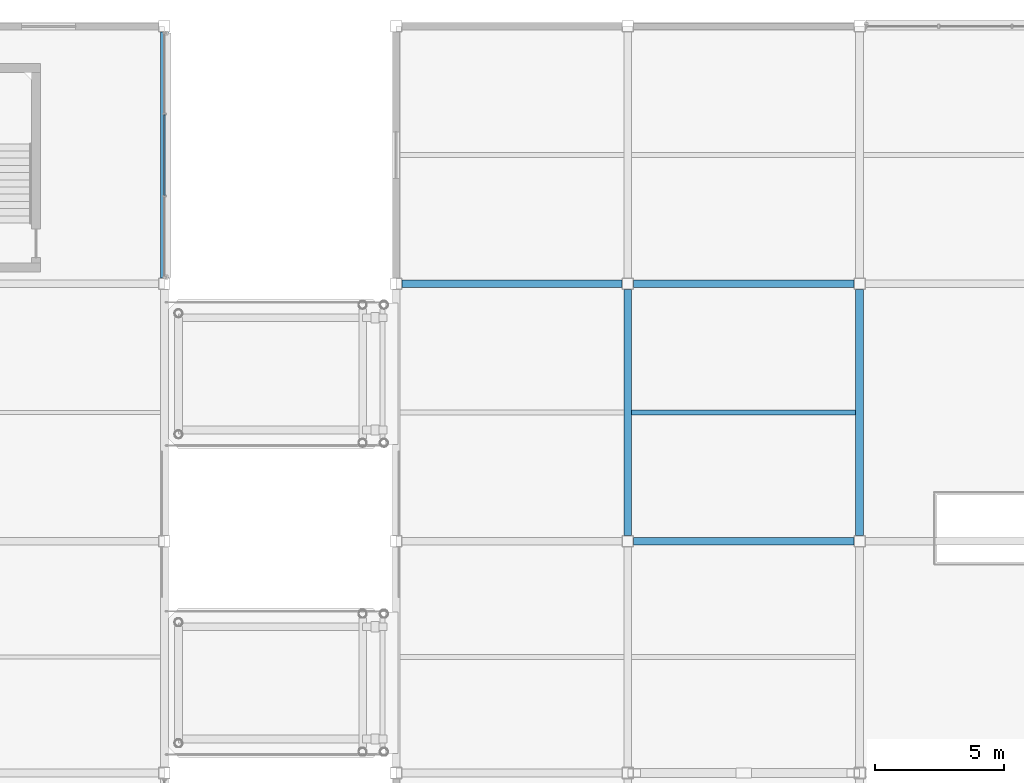
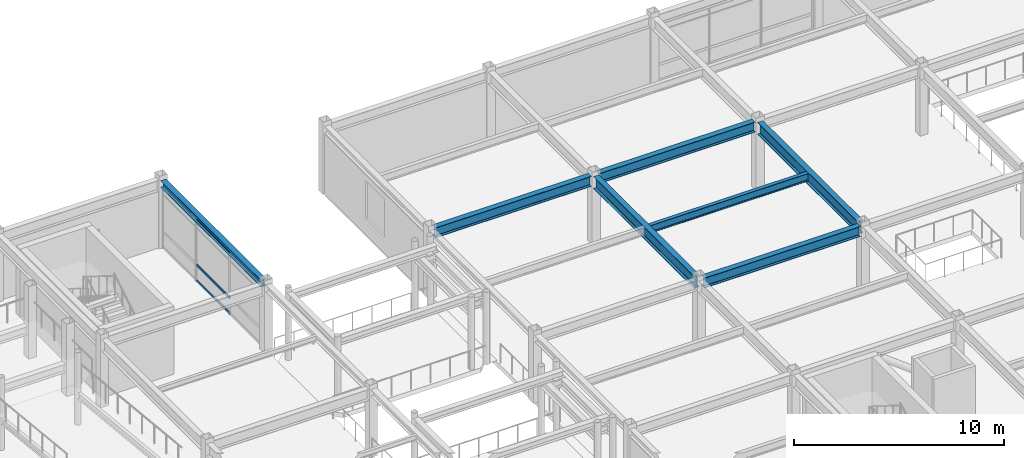
# One storey, part 38 of 105: 7 beams, 3 members, 1 element without a shape of its own.
"""IFC4 building model written with IfcOpenShell, lengths in metres."""

from ifc_helpers import new_model, si_unit, direction, frame, origin, origin_2d, place, context, subcontext, project, spatial, rectangle, i_section, extrude, material, material_profile, profile_set, type_object, element, aggregate, save


model = new_model("IFC4")

# Units and contexts
model_context = context("Model", 3, precision=1e-05, world=origin(), true_north=direction((0.0, 1.0)))
body_context = subcontext(model_context, "Body", "Model", "MODEL_VIEW")
ifc_project = project(units=[si_unit("LENGTHUNIT", "METRE"), si_unit("AREAUNIT", "SQUARE_METRE"), si_unit("VOLUMEUNIT", "CUBIC_METRE"), si_unit("PLANEANGLEUNIT", "RADIAN"), si_unit("MASSUNIT", "GRAM", prefix="KILO")], contexts=[model_context])

# Site, building, storey
site_placement = place(None, origin())
site = spatial("IfcSite", under=ifc_project, at=site_placement, CompositionType="ELEMENT")
building_placement = place(site_placement, origin())
building = spatial("IfcBuilding", under=site, at=building_placement, Name="Suzunagisa Mobility Hub", CompositionType="ELEMENT")
storey_placement = place(building_placement, frame((0.0, 0.0, 5.10009765625)))
storey = spatial("IfcBuildingStorey", under=building, at=storey_placement, Name="L01", CompositionType="ELEMENT", Elevation=5.10009765625)

# Curtain wall, members
ifc_material_1 = material(Name="Thermally Broken Anodized Aluminum and Low-E Glazing", Category="aluminium")
curtain_wall_type = type_object("IfcCurtainWallType", Name="Unitised Curtain Wall CW-03 9500x3600", PredefinedType="USERDEFINED", material=ifc_material_1)
curtain_wall_placement = place(storey_placement, origin())
curtain_wall = element("IfcCurtainWall", 1, at=curtain_wall_placement, inside=storey, type_object=curtain_wall_type, Name="L01 Unitised Curtain Wall CW-57", ObjectType="UNITISED CURTAIN WALL", PredefinedType="USERDEFINED")
ifc_material_2 = material(Name="Anodized Aluminum 6063-T6", Category="aluminium")
ifc_material_profile_1 = material_profile(ifc_material_2, rectangle(XDim=0.06494140625, YDim=0.139892578125, at=origin_2d()), Name="TRAN-65x140")
ifc_profile_set_1 = profile_set([ifc_material_profile_1], Name="Anodized Aluminum 6063-T6")
member_type = type_object("IfcMemberType", Name="Curtain Wall Framing CM-01 TRAN-65x140", PredefinedType="USERDEFINED", material=ifc_profile_set_1)
member_1_placement = place(storey_placement, frame((36.0, 111.436279296875, 0.032470703125), z_axis=(0.0, 1.0, 0.0), x_axis=(-1.0, 0.0, 0.0)))
member_1 = element("IfcMember", 2, at=member_1_placement, type_object=member_type, Name="Curtain Wall Transom 57-T2.1", ObjectType="TRANSOM", PredefinedType="USERDEFINED", context=body_context, shape_type="SweptSolid", body=[
    extrude(rectangle(XDim=0.06494140625, YDim=0.139892578125, at=origin_2d()), origin(), (0.0, 0.0, 1.0), 3.12744140625),
])
member_2_placement = place(storey_placement, frame((36.0, 111.436279296875, 0.949951171875), z_axis=(0.0, 1.0, 0.0), x_axis=(-1.0, 0.0, 0.0)))
member_2 = element("IfcMember", 3, at=member_2_placement, type_object=member_type, Name="Curtain Wall Transom 57-T2.2", ObjectType="TRANSOM", PredefinedType="USERDEFINED", context=body_context, shape_type="SweptSolid", body=[
    extrude(rectangle(XDim=0.06494140625, YDim=0.139892578125, at=origin_2d()), origin(), (0.0, 0.0, 1.0), 3.12744140625),
])
member_3_placement = place(storey_placement, frame((36.0, 111.436279296875, 3.517333984375), z_axis=(0.0, 1.0, 0.0), x_axis=(-1.0, 0.0, 0.0)))
member_3 = element("IfcMember", 4, at=member_3_placement, type_object=member_type, Name="Curtain Wall Transom 57-T2.3", ObjectType="TRANSOM", PredefinedType="USERDEFINED", context=body_context, shape_type="SweptSolid", body=[
    extrude(rectangle(XDim=0.06494140625, YDim=0.139892578125, at=origin_2d()), origin(), (0.0, 0.0, 1.0), 3.12744140625),
])
aggregate(curtain_wall, [member_1, member_2, member_3])

# Beams
ifc_material_3 = material(Name="Steel SN400B", Category="steel")
ifc_material_profile_2 = material_profile(ifc_material_3, i_section(OverallWidth=0.199951171875, OverallDepth=0.449951171875, WebThickness=0.009033203125, FlangeThickness=0.013916015625, FilletRadius=0.012939453125, at=origin_2d()), Name="H-450x200x9x14")
ifc_profile_set_2 = profile_set([ifc_material_profile_2], Name="Steel SN400B")
beam_type_1 = type_object("IfcBeamType", Name="Steel Beam BM-05 H-450x200x9x14", PredefinedType="JOIST", material=ifc_profile_set_2)
beam_1_placement = place(storey_placement, frame((54.14990234375, 103.0, 3.71484375), z_axis=(1.0, 0.0, 0.0), x_axis=(0.0, 1.0, 0.0)))
element("IfcBeam", 5, at=beam_1_placement, inside=storey, type_object=beam_type_1, Name="L01 Composite Floor Joist J-891", PredefinedType="JOIST", context=body_context, shape_type="SweptSolid", body=[
    extrude(i_section(OverallWidth=0.199951171875, OverallDepth=0.449951171875, WebThickness=0.009033203125, FlangeThickness=0.013916015625, FilletRadius=0.012939453125, at=origin_2d()), origin(), (0.0, 0.0, 1.0), 8.7001953125),
])
ifc_material_4 = material(Name="Steel SN490B", Category="steel")
ifc_material_profile_3 = material_profile(ifc_material_4, i_section(OverallWidth=0.300048828125, OverallDepth=0.699951171875, WebThickness=0.012939453125, FlangeThickness=0.02392578125, FilletRadius=0.01806640625, at=origin_2d()), Name="H-700x300x13x24")
ifc_profile_set_3 = profile_set([ifc_material_profile_3], Name="Steel SN490B")
beam_type_2 = type_object("IfcBeamType", Name="Steel Beam BM-11 H-700x300x13x24", PredefinedType="BEAM", material=ifc_profile_set_3)
for number, where, z_axis, x_axis, name in (
    (6, (54.0, 98.220947265625, 3.58984375), (0.0, 1.0, 0.0), (-1.0, 0.0, 0.0), "L01 Primary Girder GY-852"),
    (7, (63.0, 98.220947265625, 3.58984375), (0.0, 1.0, 0.0), (-1.0, 0.0, 0.0), "L01 Primary Girder GY-856"),
):
    element("IfcBeam", number, at=place(storey_placement, frame(where, z_axis=z_axis, x_axis=x_axis)), inside=storey, type_object=beam_type_2, Name=name, PredefinedType="BEAM", context=body_context, shape_type="SweptSolid", body=[
        extrude(i_section(OverallWidth=0.300048828125, OverallDepth=0.699951171875, WebThickness=0.012939453125, FlangeThickness=0.02392578125, FilletRadius=0.01806640625, at=origin_2d()), origin(), (0.0, 0.0, 1.0), 9.55810546875),
    ])
ifc_material_profile_4 = material_profile(ifc_material_4, i_section(OverallWidth=0.300048828125, OverallDepth=0.389892578125, WebThickness=0.010009765625, FlangeThickness=0.01611328125, FilletRadius=0.012939453125, at=origin_2d()), Name="H-390x300x10x16")
ifc_profile_set_4 = profile_set([ifc_material_profile_4], Name="Steel SN490B")
beam_type_3 = type_object("IfcBeamType", Name="Steel Beam BM-13 H-390x300x10x16", PredefinedType="SPANDREL", material=ifc_profile_set_4)
beam_2_placement = place(storey_placement, frame((36.0, 108.220947265625, 3.744873046875), z_axis=(0.0, 1.0, 0.0), x_axis=(-1.0, 0.0, 0.0)))
element("IfcBeam", 8, at=beam_2_placement, inside=storey, type_object=beam_type_3, Name="L01 Primary Girder GY-513", PredefinedType="SPANDREL", context=body_context, shape_type="SweptSolid", body=[
    extrude(i_section(OverallWidth=0.300048828125, OverallDepth=0.389892578125, WebThickness=0.010009765625, FlangeThickness=0.01611328125, FilletRadius=0.012939453125, at=origin_2d()), origin(), (0.0, 0.0, 1.0), 9.55810546875),
])
ifc_material_profile_5 = material_profile(ifc_material_4, i_section(OverallWidth=0.300048828125, OverallDepth=0.587890625, WebThickness=0.011962890625, FlangeThickness=0.02001953125, FilletRadius=0.012939453125, at=origin_2d()), Name="H-588x300x12x20")
ifc_profile_set_5 = profile_set([ifc_material_profile_5], Name="Steel SN490B")
beam_type_4 = type_object("IfcBeamType", Name="Steel Beam BM-16 H-588x300x12x20", PredefinedType="BEAM", material=ifc_profile_set_5)
for number, where, z_axis, x_axis, name in (
    (9, (54.220947265625, 98.0, 3.64599609375), (1.0, 0.0, 0.0), (0.0, 1.0, 0.0), "L01 Primary Girder GX-821"),
    (10, (45.220947265625, 108.0, 3.64599609375), (1.0, 0.0, 0.0), (0.0, 1.0, 0.0), "L01 Primary Girder GX-829"),
    (11, (54.220947265625, 108.0, 3.64599609375), (1.0, 0.0, 0.0), (0.0, 1.0, 0.0), "L01 Primary Girder GX-830"),
):
    element("IfcBeam", number, at=place(storey_placement, frame(where, z_axis=z_axis, x_axis=x_axis)), inside=storey, type_object=beam_type_4, Name=name, PredefinedType="BEAM", context=body_context, shape_type="SweptSolid", body=[
        extrude(i_section(OverallWidth=0.300048828125, OverallDepth=0.587890625, WebThickness=0.011962890625, FlangeThickness=0.02001953125, FilletRadius=0.012939453125, at=origin_2d()), origin(), (0.0, 0.0, 1.0), 8.55810546875),
    ])

save(model, "model.ifc")
